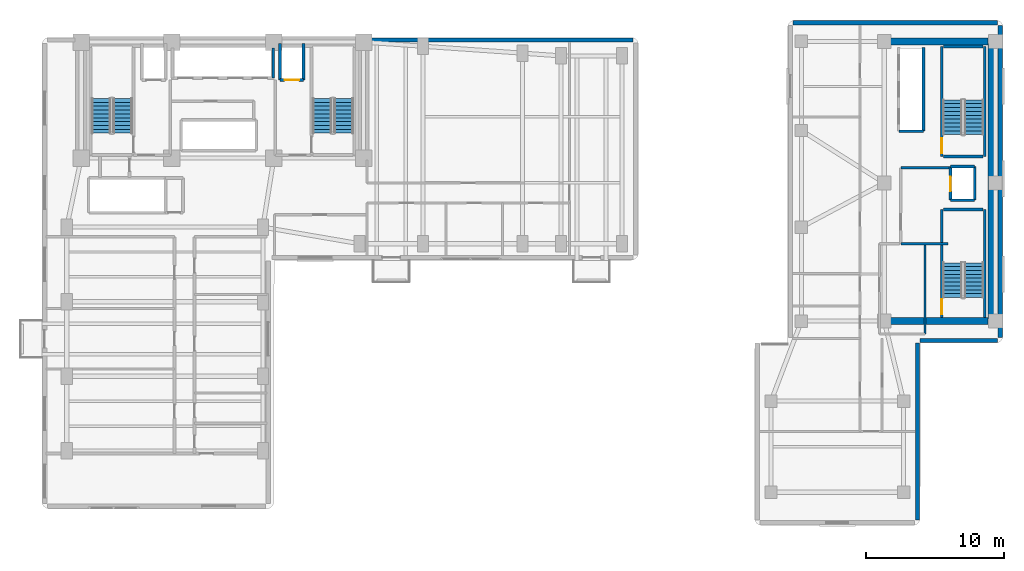
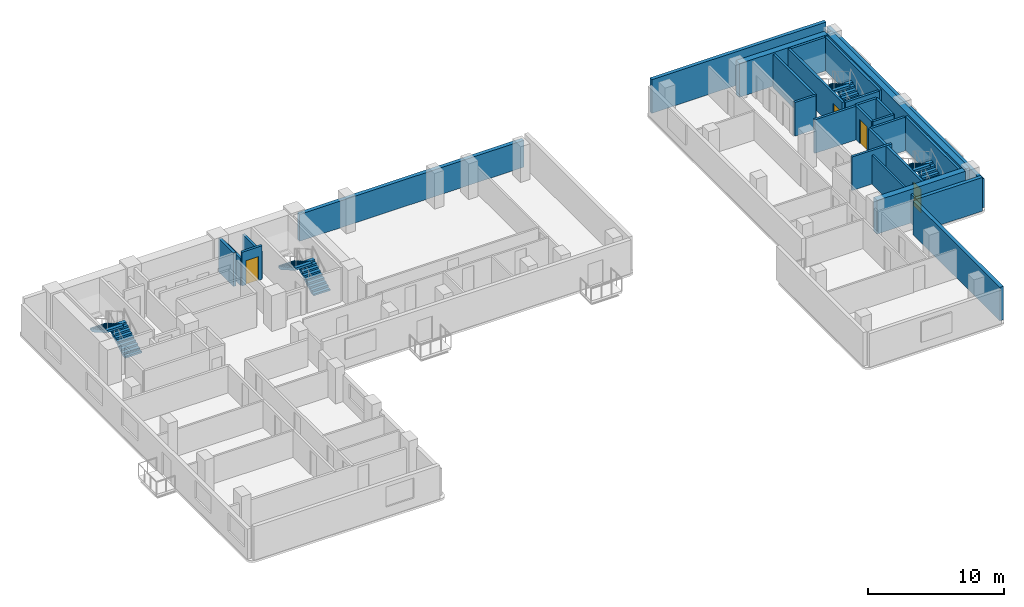
# One storey, part 11 of 14: 28 walls, 8 stair flights, 4 doors, 4 openings, 4 elements without a shape of their own.
"""IFC4 building model written with IfcOpenShell, lengths in metres."""

from ifc_helpers import new_model, si_unit, direction, frame, frame_2d, origin, place, context, subcontext, project, spatial, polyline, rectangle, outline, extrude, material, layer, layer_set, type_object, element, fill, aggregate, save


model = new_model("IFC4")

# Units and contexts
model_context = context("Model", 3, precision=1e-05, world=origin(), true_north=direction((0.0, 1.0)))
body_context = subcontext(model_context, "Body", "Model", "MODEL_VIEW")
ifc_project = project(units=[si_unit("LENGTHUNIT", "METRE"), si_unit("AREAUNIT", "SQUARE_METRE"), si_unit("VOLUMEUNIT", "CUBIC_METRE"), si_unit("PLANEANGLEUNIT", "RADIAN"), si_unit("MASSUNIT", "GRAM", prefix="KILO")], contexts=[model_context])

# Site, building, storey
site_placement = place(None, origin())
site = spatial("IfcSite", under=ifc_project, at=site_placement, CompositionType="ELEMENT")
building_placement = place(site_placement, origin())
building = spatial("IfcBuilding", under=site, at=building_placement, Name="Kuzgunbayir Cultural Tower", CompositionType="ELEMENT")
storey_placement = place(building_placement, frame((0.0, 0.0, 69.199951171875)))
storey = spatial("IfcBuildingStorey", under=building, at=storey_placement, Name="L19", CompositionType="ELEMENT", Elevation=69.199951171875)

# Walls
ifc_material_1 = material(Name="Anatolian Cream Limestone", Category="masonry")
ifc_layer_1 = layer(ifc_material_1, 0.300048828125)
ifc_layer_set_1 = layer_set([ifc_layer_1], Name="Anatolian Cream Limestone")
wall_type_1 = type_object("IfcWallType", Name="WAL-EXT-STONE-300", PredefinedType="STANDARD", material=ifc_layer_set_1)
wall_1_placement = place(storey_placement, frame((73.0, 20.800048828125, 0.0), z_axis=(0.0, 0.0, 1.0), x_axis=(0.0, 1.0, 0.0)))
element("IfcWall", 1, at=wall_1_placement, inside=storey, type_object=wall_type_1, Name="L19 Companion East Limestone Wall", PredefinedType="STANDARD", context=body_context, shape_type="SweptSolid", body=[
    extrude(rectangle(XDim=22.599853515625, YDim=0.300048828125, at=frame_2d((11.2998046875, 0.0))), origin(), (0.0, 0.0, 1.0), 2.60009765625),
])
wall_2_placement = place(storey_placement, frame((72.800048828125, 43.60009765625, 0.0), z_axis=(0.0, 0.0, 1.0), x_axis=(-1.0, 0.0, 0.0)))
element("IfcWall", 2, at=wall_2_placement, inside=storey, type_object=wall_type_1, Name="L19 Companion North Limestone Wall", PredefinedType="STANDARD", context=body_context, shape_type="SweptSolid", body=[
    extrude(rectangle(XDim=14.800048828125, YDim=0.300048828125, at=frame_2d((7.39990234375, 0.0))), origin(), (0.0, 0.0, 1.0), 3.02001953125),
])
wall_3_placement = place(storey_placement, frame((67.0, 7.60009765625, 0.0), z_axis=(0.0, 0.0, 1.0), x_axis=(0.0, 1.0, 0.0)))
element("IfcWall", 3, at=wall_3_placement, inside=storey, type_object=wall_type_1, Name="L19 Companion Wing B East Wall", PredefinedType="STANDARD", context=body_context, shape_type="SweptSolid", body=[
    extrude(rectangle(XDim=12.7998046875, YDim=0.300048828125, at=frame_2d((6.39990234375, 0.0))), origin(), (0.0, 0.0, 1.0), 3.02001953125),
])
wall_4_placement = place(storey_placement, frame((67.199951171875, 20.60009765625, 0.0), z_axis=(0.0, 0.0, 1.0), x_axis=(1.0, 0.0, 0.0)))
element("IfcWall", 4, at=wall_4_placement, inside=storey, type_object=wall_type_1, Name="L19 Companion South-East Link", PredefinedType="STANDARD", context=body_context, shape_type="SweptSolid", body=[
    extrude(rectangle(XDim=5.60009765625, YDim=0.300048828125, at=frame_2d((2.800048828125, 0.0))), origin(), (0.0, 0.0, 1.0), 3.02001953125),
])
ifc_material_2 = material(Name="Travertine Buff Ashlar", Category="masonry")
ifc_layer_2 = layer(ifc_material_2, 0.320068359375)
ifc_layer_set_2 = layer_set([ifc_layer_2], Name="Travertine Buff Ashlar")
wall_type_2 = type_object("IfcWallType", Name="WAL-EXT-STONE-320", PredefinedType="STANDARD", material=ifc_layer_set_2)
wall_5_placement = place(storey_placement, frame((46.39990234375, 42.35009765625, 0.0), z_axis=(0.0, 0.0, 1.0), x_axis=(-1.0, 0.0, 0.0)))
element("IfcWall", 5, at=wall_5_placement, inside=storey, type_object=wall_type_2, Name="L19 North Wing B Limestone Wall", PredefinedType="STANDARD", context=body_context, shape_type="SweptSolid", body=[
    extrude(rectangle(XDim=19.0498046875, YDim=0.320068359375, at=frame_2d((9.52490234375, 0.0))), origin(), (0.0, 0.0, 1.0), 2.41015625),
])
ifc_material_3 = material(Name="Acoustic Double-Stud Drywall", Category="gypsum")
ifc_layer_3 = layer(ifc_material_3, 0.14990234375)
ifc_layer_set_3 = layer_set([ifc_layer_3], Name="Acoustic Double-Stud Drywall")
wall_type_3 = type_object("IfcWallType", Name="WAL-PART-ACOUSTIC-150", PredefinedType="PARTITIONING", material=ifc_layer_set_3)
wall_6_placement = place(storey_placement, frame((67.550048828125, 21.050048828125, 0.0), z_axis=(0.0, 0.0, 1.0), x_axis=(0.0, 1.0, 0.0)))
element("IfcWall", 6, at=wall_6_placement, inside=storey, type_object=wall_type_3, Name="L19 Companion Archive East Wall", PredefinedType="PARTITIONING", context=body_context, shape_type="SweptSolid", body=[
    extrude(rectangle(XDim=6.469970703125, YDim=0.14990234375, at=frame_2d((3.23486328125, 0.0))), origin(), (0.0, 0.0, 1.0), 2.60009765625),
])
ifc_material_4 = material(Name="Aerated Concrete Blockwork", Category="masonry")
ifc_layer_4 = layer(ifc_material_4, 0.199951171875)
ifc_layer_set_4 = layer_set([ifc_layer_4], Name="Aerated Concrete Blockwork")
wall_type_4 = type_object("IfcWallType", Name="WAL-PART-FIRE-200", PredefinedType="PARTITIONING", material=ifc_layer_set_4)
wall_7_placement = place(storey_placement, frame((65.800048828125, 33.10009765625, 0.0), z_axis=(0.0, 0.0, 1.0), x_axis=(1.0, 0.0, 0.0)))
element("IfcWall", 7, at=wall_7_placement, inside=storey, type_object=wall_type_4, Name="L19 FFL-3 Lobby North Fire Wall", PredefinedType="PARTITIONING", context=body_context, shape_type="SweptSolid", body=[
    extrude(rectangle(XDim=3.599853515625, YDim=0.199951171875, at=frame_2d((1.7998046875, 0.0))), origin(), (0.0, 0.0, 1.0), 3.02001953125),
])
wall_8_placement = place(storey_placement, frame((65.800048828125, 27.60009765625, 0.0), z_axis=(0.0, 0.0, 1.0), x_axis=(1.0, 0.0, 0.0)))
element("IfcWall", 8, at=wall_8_placement, inside=storey, type_object=wall_type_4, Name="L19 FFL-3 Lobby South Fire Wall", PredefinedType="PARTITIONING", context=body_context, shape_type="SweptSolid", body=[
    extrude(rectangle(XDim=3.39990234375, YDim=0.199951171875, at=frame_2d((1.699951171875, 0.0))), origin(), (0.0, 0.0, 1.0), 3.02001953125),
])

# Wall, opening, door
ifc_material_5 = material(Name="Concrete C40/50", Category="concrete")
ifc_layer_5 = layer(ifc_material_5, 0.199951171875)
ifc_layer_set_5 = layer_set([ifc_layer_5], Name="Concrete C40/50")
wall_type_5 = type_object("IfcWallType", Name="WAL-SHAFT-200", PredefinedType="MOVABLE", material=ifc_layer_set_5)
wall_9_placement = place(storey_placement, frame((20.85009765625, 39.449951171875, 0.0), z_axis=(0.0, 0.0, 1.0), x_axis=(1.0, 0.0, 0.0)))
wall_9 = element("IfcWall", 9, at=wall_9_placement, inside=storey, type_object=wall_type_5, Name="L19 FFL-2 Lift Front Wall", PredefinedType="MOVABLE", context=body_context, shape_type="SweptSolid", body=[
    extrude(rectangle(XDim=1.699951171875, YDim=0.199951171875, at=frame_2d((0.85009765625, 0.0))), origin(), (0.0, 0.0, 1.0), 3.02001953125),
])
opening_1_placement = place(wall_9_placement, frame((0.320068359375, 0.0, 0.0)))
opening_1 = element("IfcOpeningElement", 10, at=opening_1_placement, cuts=wall_9, Name="Opening LD", PredefinedType="OPENING", context=body_context, shape_type="SweptSolid", body=[
    extrude(rectangle(XDim=1.050048828125, YDim=2.14990234375, at=frame_2d((0.52490234375, 1.074951171875))), frame((0.0, 0.10986328125, 0.0), z_axis=(0.0, -1.0, 0.0), x_axis=(1.0, 0.0, 0.0)), (0.0, 0.0, 1.0), 0.219970703125),
])
ifc_material_6 = material(Name="Brushed Stainless Steel", Category="steel")
door_type_1 = type_object("IfcDoorType", Name="DR-LIFT-LANDING", OperationType="SLIDING_TO_LEFT", PredefinedType="DOOR", material=ifc_material_6)
door_1_placement = place(opening_1_placement, origin())
door_1 = element("IfcDoor", 11, at=door_1_placement, inside=storey, type_object=door_type_1, Name="L19 Lift FFL-2 Landing Door", OperationType="SLIDING_TO_LEFT", OverallHeight=2.14990234375, OverallWidth=1.050048828125, PredefinedType="DOOR", context=body_context, shape_type="SweptSolid", body=[
    extrude(rectangle(XDim=1.050048828125, YDim=2.14990234375, at=frame_2d((0.52490234375, 1.074951171875))), frame((0.0, 0.02490234375, 0.0), z_axis=(0.0, -1.0, 0.0), x_axis=(1.0, 0.0, 0.0)), (0.0, 0.0, 1.0), 0.050048828125),
])
fill(opening_1, door_1)

# Walls
for number, where, z_axis, x_axis, name in (
    (12, (20.85009765625, 39.449951171875, 0.0), (0.0, 0.0, 1.0), (0.0, 1.0, 0.0), "L19 FFL-2 Shaft West Wall"),
    (13, (22.550048828125, 39.449951171875, 0.0), (0.0, 0.0, 1.0), (0.0, 1.0, 0.0), "L19 FFL-2 Shaft East Wall"),
):
    element("IfcWall", number, at=place(storey_placement, frame(where, z_axis=z_axis, x_axis=x_axis)), inside=storey, type_object=wall_type_5, Name=name, PredefinedType="MOVABLE", context=body_context, shape_type="SweptSolid", body=[
        extrude(rectangle(XDim=2.650146484375, YDim=0.199951171875, at=frame_2d((1.3251953125, 0.0))), origin(), (0.0, 0.0, 1.0), 2.41015625),
    ])
wall_10_placement = place(storey_placement, frame((20.35009765625, 39.60009765625, 0.0), z_axis=(0.0, 0.0, 1.0), x_axis=(0.0, 1.0, 0.0)))
element("IfcWall", 14, at=wall_10_placement, inside=storey, type_object=wall_type_5, Name="L19 Low-Rise Lift Shaft East Wall", PredefinedType="MOVABLE", context=body_context, shape_type="SweptSolid", body=[
    extrude(rectangle(XDim=2.179931640625, YDim=0.199951171875, at=frame_2d((1.08984375, 0.0))), origin(), (0.0, 0.0, 1.0), 3.02001953125),
])
wall_11_placement = place(storey_placement, frame((67.449951171875, 35.75, 0.0), z_axis=(0.0, 0.0, 1.0), x_axis=(0.0, 1.0, 0.0)))
element("IfcWall", 15, at=wall_11_placement, inside=storey, type_object=wall_type_5, Name="L19 Companion Lift Shaft Back Wall", PredefinedType="MOVABLE", context=body_context, shape_type="SweptSolid", body=[
    extrude(rectangle(XDim=6.050048828125, YDim=0.199951171875, at=frame_2d((3.02490234375, 0.0))), origin(), (0.0, 0.0, 1.0), 3.02001953125),
])
wall_12_placement = place(storey_placement, frame((65.64990234375, 35.75, 0.0), z_axis=(0.0, 0.0, 1.0), x_axis=(1.0, 0.0, 0.0)))
element("IfcWall", 16, at=wall_12_placement, inside=storey, type_object=wall_type_5, Name="L19 Companion Lift Shaft South Wall", PredefinedType="MOVABLE", context=body_context, shape_type="SweptSolid", body=[
    extrude(rectangle(XDim=1.800048828125, YDim=0.199951171875, at=frame_2d((0.89990234375, 0.0))), origin(), (0.0, 0.0, 1.0), 3.02001953125),
])

# Wall, opening, door
wall_13_placement = place(storey_placement, frame((69.39990234375, 30.75, 0.0), z_axis=(0.0, 0.0, 1.0), x_axis=(0.0, 1.0, 0.0)))
wall_13 = element("IfcWall", 17, at=wall_13_placement, inside=storey, type_object=wall_type_5, Name="L19 FFL-3 Lift Front Wall", PredefinedType="MOVABLE", context=body_context, shape_type="SweptSolid", body=[
    extrude(rectangle(XDim=2.449951171875, YDim=0.199951171875, at=frame_2d((1.22509765625, 0.0))), origin(), (0.0, 0.0, 1.0), 3.02001953125),
])
opening_2_placement = place(wall_13_placement, frame((0.64990234375, 0.0, 0.0)))
opening_2 = element("IfcOpeningElement", 18, at=opening_2_placement, cuts=wall_13, Name="Opening LD", PredefinedType="OPENING", context=body_context, shape_type="SweptSolid", body=[
    extrude(rectangle(XDim=1.050048828125, YDim=2.14990234375, at=frame_2d((0.52490234375, 1.074951171875))), frame((0.0, 0.10986328125, 0.0), z_axis=(0.0, -1.0, 0.0), x_axis=(1.0, 0.0, 0.0)), (0.0, 0.0, 1.0), 0.219970703125),
])
door_2_placement = place(opening_2_placement, origin())
door_2 = element("IfcDoor", 19, at=door_2_placement, inside=storey, type_object=door_type_1, Name="L19 Lift FFL-3 Landing Door", OperationType="SLIDING_TO_LEFT", OverallHeight=2.14990234375, OverallWidth=1.050048828125, PredefinedType="DOOR", context=body_context, shape_type="SweptSolid", body=[
    extrude(rectangle(XDim=1.050048828125, YDim=2.14990234375, at=frame_2d((0.52490234375, 1.074951171875))), frame((0.0, 0.02490234375, 0.0), z_axis=(0.0, -1.0, 0.0), x_axis=(1.0, 0.0, 0.0)), (0.0, 0.0, 1.0), 0.050048828125),
])
fill(opening_2, door_2)

# Walls
wall_14_placement = place(storey_placement, frame((71.14990234375, 30.75, 0.0), z_axis=(0.0, 0.0, 1.0), x_axis=(0.0, 1.0, 0.0)))
element("IfcWall", 20, at=wall_14_placement, inside=storey, type_object=wall_type_5, Name="L19 FFL-3 Shaft Back Wall", PredefinedType="MOVABLE", context=body_context, shape_type="SweptSolid", body=[
    extrude(rectangle(XDim=2.449951171875, YDim=0.199951171875, at=frame_2d((1.22509765625, 0.0))), origin(), (0.0, 0.0, 1.0), 3.02001953125),
])
for number, where, z_axis, x_axis, name in (
    (21, (69.39990234375, 33.199951171875, 0.0), (0.0, 0.0, 1.0), (1.0, 0.0, 0.0), "L19 FFL-3 Shaft North Wall"),
    (22, (69.39990234375, 30.75, 0.0), (0.0, 0.0, 1.0), (1.0, 0.0, 0.0), "L19 FFL-3 Shaft South Wall"),
):
    element("IfcWall", number, at=place(storey_placement, frame(where, z_axis=z_axis, x_axis=x_axis)), inside=storey, type_object=wall_type_5, Name=name, PredefinedType="MOVABLE", context=body_context, shape_type="SweptSolid", body=[
        extrude(rectangle(XDim=1.75, YDim=0.199951171875, at=frame_2d((0.875, 0.0))), origin(), (0.0, 0.0, 1.0), 3.02001953125),
    ])

# Wall, opening, door
ifc_layer_6 = layer(ifc_material_5, 0.199951171875)
ifc_layer_set_6 = layer_set([ifc_layer_6], Name="Concrete C40/50")
wall_type_6 = type_object("IfcWallType", Name="WAL-STAIR-RC-200", PredefinedType="SHEAR", material=ifc_layer_set_6)
wall_15_placement = place(storey_placement, frame((68.760009765625, 22.260009765625, 0.0), z_axis=(0.0, 0.0, 1.0), x_axis=(0.0, 1.0, 0.0)))
wall_15 = element("IfcWall", 23, at=wall_15_placement, inside=storey, type_object=wall_type_6, Name="L19 Stair ST-3 West Structural Wall", PredefinedType="SHEAR", context=body_context, shape_type="SweptSolid", body=[
    extrude(rectangle(XDim=7.820068359375, YDim=0.199951171875, at=frame_2d((3.91015625, 0.0))), origin(), (0.0, 0.0, 1.0), 3.02001953125),
])
opening_3_placement = place(wall_15_placement, frame((0.219970703125, 0.0, 0.0)))
opening_3 = element("IfcOpeningElement", 24, at=opening_3_placement, cuts=wall_15, Name="Opening DR-STAIR-90", PredefinedType="OPENING", context=body_context, shape_type="SweptSolid", body=[
    extrude(rectangle(XDim=1.10009765625, YDim=2.14990234375, at=frame_2d((0.550048828125, 1.074951171875))), frame((0.0, 0.10986328125, 0.0), z_axis=(0.0, -1.0, 0.0), x_axis=(1.0, 0.0, 0.0)), (0.0, 0.0, 1.0), 0.219970703125),
])
ifc_material_7 = material(Name="Steel S355J2", Category="steel")
door_type_2 = type_object("IfcDoorType", Name="DR-STAIR-90", OperationType="NOTDEFINED", PredefinedType="DOOR", material=ifc_material_7)
door_3_placement = place(opening_3_placement, origin())
door_3 = element("IfcDoor", 25, at=door_3_placement, inside=storey, type_object=door_type_2, Name="L19 Stair ST-3 Fire Door", OperationType="SINGLE_SWING_LEFT", OverallHeight=2.14990234375, OverallWidth=1.10009765625, PredefinedType="DOOR", context=body_context, shape_type="SweptSolid", body=[
    extrude(rectangle(XDim=1.10009765625, YDim=2.14990234375, at=frame_2d((0.550048828125, 1.074951171875))), frame((0.0, 0.02490234375, 0.0), z_axis=(0.0, -1.0, 0.0), x_axis=(1.0, 0.0, 0.0)), (0.0, 0.0, 1.0), 0.050048828125),
])
fill(opening_3, door_3)

# Walls
wall_16_placement = place(storey_placement, frame((71.8798828125, 22.260009765625, 0.0), z_axis=(0.0, 0.0, 1.0), x_axis=(0.0, 1.0, 0.0)))
element("IfcWall", 26, at=wall_16_placement, inside=storey, type_object=wall_type_6, Name="L19 Stair ST-3 East Structural Wall", PredefinedType="SHEAR", context=body_context, shape_type="SweptSolid", body=[
    extrude(rectangle(XDim=7.820068359375, YDim=0.199951171875, at=frame_2d((3.91015625, 0.0))), origin(), (0.0, 0.0, 1.0), 3.02001953125),
])
wall_17_placement = place(storey_placement, frame((68.8798828125, 30.080078125, 0.0), z_axis=(0.0, 0.0, 1.0), x_axis=(1.0, 0.0, 0.0)))
element("IfcWall", 27, at=wall_17_placement, inside=storey, type_object=wall_type_6, Name="L19 Stair ST-3 North Structural Wall", PredefinedType="SHEAR", context=body_context, shape_type="SweptSolid", body=[
    extrude(rectangle(XDim=2.880126953125, YDim=0.199951171875, at=frame_2d((1.43994140625, 0.0))), origin(), (0.0, 0.0, 1.0), 3.02001953125),
])

# Wall, opening, door
wall_18_placement = place(storey_placement, frame((68.760009765625, 33.919921875, 0.0), z_axis=(0.0, 0.0, 1.0), x_axis=(0.0, 1.0, 0.0)))
wall_18 = element("IfcWall", 28, at=wall_18_placement, inside=storey, type_object=wall_type_6, Name="L19 Stair ST-4 West Structural Wall", PredefinedType="SHEAR", context=body_context, shape_type="SweptSolid", body=[
    extrude(rectangle(XDim=7.9599609375, YDim=0.199951171875, at=frame_2d((3.97998046875, 0.0))), origin(), (0.0, 0.0, 1.0), 3.02001953125),
])
opening_4_placement = place(wall_18_placement, frame((0.219970703125, 0.0, 0.0)))
opening_4 = element("IfcOpeningElement", 29, at=opening_4_placement, cuts=wall_18, Name="Opening DR-STAIR-90", PredefinedType="OPENING", context=body_context, shape_type="SweptSolid", body=[
    extrude(rectangle(XDim=1.10009765625, YDim=2.14990234375, at=frame_2d((0.550048828125, 1.074951171875))), frame((0.0, 0.10986328125, 0.0), z_axis=(0.0, -1.0, 0.0), x_axis=(1.0, 0.0, 0.0)), (0.0, 0.0, 1.0), 0.219970703125),
])
door_4_placement = place(opening_4_placement, origin())
door_4 = element("IfcDoor", 30, at=door_4_placement, inside=storey, type_object=door_type_2, Name="L19 Stair ST-4 Fire Door", OperationType="SINGLE_SWING_RIGHT", OverallHeight=2.14990234375, OverallWidth=1.10009765625, PredefinedType="DOOR", context=body_context, shape_type="SweptSolid", body=[
    extrude(rectangle(XDim=1.10009765625, YDim=2.14990234375, at=frame_2d((0.550048828125, 1.074951171875))), frame((0.0, 0.02490234375, 0.0), z_axis=(0.0, -1.0, 0.0), x_axis=(1.0, 0.0, 0.0)), (0.0, 0.0, 1.0), 0.050048828125),
])
fill(opening_4, door_4)

# Walls
wall_19_placement = place(storey_placement, frame((71.8798828125, 33.919921875, 0.0), z_axis=(0.0, 0.0, 1.0), x_axis=(0.0, 1.0, 0.0)))
element("IfcWall", 31, at=wall_19_placement, inside=storey, type_object=wall_type_6, Name="L19 Stair ST-4 East Structural Wall", PredefinedType="SHEAR", context=body_context, shape_type="SweptSolid", body=[
    extrude(rectangle(XDim=7.9599609375, YDim=0.199951171875, at=frame_2d((3.97998046875, 0.0))), origin(), (0.0, 0.0, 1.0), 3.02001953125),
])
for number, where, z_axis, x_axis, name in (
    (32, (68.8798828125, 41.8798828125, 0.0), (0.0, 0.0, 1.0), (1.0, 0.0, 0.0), "L19 Stair ST-4 North Structural Wall"),
    (33, (68.8798828125, 33.919921875, 0.0), (0.0, 0.0, 1.0), (1.0, 0.0, 0.0), "L19 Stair ST-4 South Structural Wall"),
):
    element("IfcWall", number, at=place(storey_placement, frame(where, z_axis=z_axis, x_axis=x_axis)), inside=storey, type_object=wall_type_6, Name=name, PredefinedType="SHEAR", context=body_context, shape_type="SweptSolid", body=[
        extrude(rectangle(XDim=2.880126953125, YDim=0.199951171875, at=frame_2d((1.43994140625, 0.0))), origin(), (0.0, 0.0, 1.0), 3.02001953125),
    ])
ifc_material_8 = material(Name="Concrete C60/75", Category="concrete")
ifc_layer_7 = layer(ifc_material_8, 0.5)
ifc_layer_set_7 = layer_set([ifc_layer_7], Name="Concrete C60/75")
wall_type_7 = type_object("IfcWallType", Name="WAL-T2-CORE-500", PredefinedType="SHEAR", material=ifc_layer_set_7)
wall_20_placement = place(storey_placement, frame((72.35009765625, 22.0, 0.0), z_axis=(0.0, 0.0, 1.0), x_axis=(0.0, 1.0, 0.0)))
element("IfcWall", 34, at=wall_20_placement, inside=storey, type_object=wall_type_7, Name="L19 Companion Core East Shear Wall", PredefinedType="SHEAR", context=body_context, shape_type="SweptSolid", body=[
    extrude(rectangle(XDim=20.25, YDim=0.5, at=frame_2d((10.125, 0.0))), origin(), (0.0, 0.0, 1.0), 3.02001953125),
])
for number, where, z_axis, x_axis, name in (
    (35, (64.60009765625, 42.25, 0.0), (0.0, 0.0, 1.0), (1.0, 0.0, 0.0), "L19 Companion Core North Shear Wall"),
    (36, (64.60009765625, 22.0, 0.0), (0.0, 0.0, 1.0), (1.0, 0.0, 0.0), "L19 Companion Core South Shear Wall"),
):
    element("IfcWall", number, at=place(storey_placement, frame(where, z_axis=z_axis, x_axis=x_axis)), inside=storey, type_object=wall_type_7, Name=name, PredefinedType="SHEAR", context=body_context, shape_type="SweptSolid", body=[
        extrude(rectangle(XDim=7.5, YDim=0.5, at=frame_2d((3.75, 0.0))), origin(), (0.0, 0.0, 1.0), 3.02001953125),
    ])

# Stair, stair flights
stair_type = type_object("IfcStairType", Name="STR-EXIT-CORE", PredefinedType="HALF_TURN_STAIR", material=ifc_material_5)
stair_1_placement = place(storey_placement, origin())
stair_1 = element("IfcStair", 37, at=stair_1_placement, inside=storey, type_object=stair_type, Name="L19 ST-1", PredefinedType="HALF_TURN_STAIR")
stair_flight_type = type_object("IfcStairFlightType", Name="STRF-RC-140", PredefinedType="STRAIGHT", material=ifc_material_5)
stair_flight_1_placement = place(storey_placement, frame((9.4599609375, 35.60009765625, 0.0), z_axis=(0.0, 0.0, 1.0), x_axis=(0.0, 1.0, 0.0)))
stair_flight_1 = element("IfcStairFlight", 38, at=stair_flight_1_placement, type_object=stair_flight_type, Name="ST-1 flight 1", NumberOfRisers=10, NumberOfTreads=9, PredefinedType="STRAIGHT", RiserHeight=0.16, TreadLength=0.28, context=body_context, shape_type="SweptSolid", body=[
    extrude(outline(polyline([(0.0, 0.0), (0.0, 0.159912109375), (0.280029296875, 0.159912109375), (0.280029296875, 0.320068359375), (0.56005859375, 0.320068359375), (0.56005859375, 0.47998046875), (0.840087890625, 0.47998046875), (0.840087890625, 0.639892578125), (1.1201171875, 0.639892578125), (1.1201171875, 0.800048828125), (1.39990234375, 0.800048828125), (1.39990234375, 0.9599609375), (1.679931640625, 0.9599609375), (1.679931640625, 1.1201171875), (1.9599609375, 1.1201171875), (1.9599609375, 1.280029296875), (2.239990234375, 1.280029296875), (2.239990234375, 1.43994140625), (2.52001953125, 1.43994140625), (2.52001953125, 1.60009765625), (2.52001953125, 1.232666015625), (0.362548828125, 0.0), (0.0, 0.0)])), frame((0.0, 0.699951171875, 0.0), z_axis=(0.0, -1.0, 0.0), x_axis=(1.0, 0.0, 0.0)), (0.0, 0.0, 1.0), 1.39990234375),
])
stair_flight_2_placement = place(storey_placement, frame((7.89990234375, 38.1201171875, 1.60009765625), z_axis=(0.0, 0.0, 1.0), x_axis=(0.0, -1.0, 0.0)))
stair_flight_2 = element("IfcStairFlight", 39, at=stair_flight_2_placement, type_object=stair_flight_type, Name="ST-1 flight 2", NumberOfRisers=10, NumberOfTreads=9, PredefinedType="STRAIGHT", RiserHeight=0.16, TreadLength=0.28, context=body_context, shape_type="SweptSolid", body=[
    extrude(outline(polyline([(0.0, 0.0), (0.0, 0.159912109375), (0.280029296875, 0.159912109375), (0.280029296875, 0.320068359375), (0.56005859375, 0.320068359375), (0.56005859375, 0.47998046875), (0.840087890625, 0.47998046875), (0.840087890625, 0.639892578125), (1.1201171875, 0.639892578125), (1.1201171875, 0.800048828125), (1.39990234375, 0.800048828125), (1.39990234375, 0.9599609375), (1.679931640625, 0.9599609375), (1.679931640625, 1.1201171875), (1.9599609375, 1.1201171875), (1.9599609375, 1.280029296875), (2.239990234375, 1.280029296875), (2.239990234375, 1.43994140625), (2.52001953125, 1.43994140625), (2.52001953125, 1.60009765625), (2.52001953125, 1.232666015625), (0.362548828125, 0.0), (0.0, 0.0)])), frame((0.0, 0.699951171875, 0.0), z_axis=(0.0, -1.0, 0.0), x_axis=(1.0, 0.0, 0.0)), (0.0, 0.0, 1.0), 1.39990234375),
])
aggregate(stair_1, [stair_flight_1, stair_flight_2])

stair_2_placement = place(storey_placement, origin())
stair_2 = element("IfcStair", 40, at=stair_2_placement, inside=storey, type_object=stair_type, Name="L19 ST-2", PredefinedType="HALF_TURN_STAIR")
stair_flight_3_placement = place(storey_placement, frame((25.4599609375, 35.60009765625, 0.0), z_axis=(0.0, 0.0, 1.0), x_axis=(0.0, 1.0, 0.0)))
stair_flight_3 = element("IfcStairFlight", 41, at=stair_flight_3_placement, type_object=stair_flight_type, Name="ST-2 flight 1", NumberOfRisers=10, NumberOfTreads=9, PredefinedType="STRAIGHT", RiserHeight=0.16, TreadLength=0.28, context=body_context, shape_type="SweptSolid", body=[
    extrude(outline(polyline([(0.0, 0.0), (0.0, 0.159912109375), (0.280029296875, 0.159912109375), (0.280029296875, 0.320068359375), (0.56005859375, 0.320068359375), (0.56005859375, 0.47998046875), (0.840087890625, 0.47998046875), (0.840087890625, 0.639892578125), (1.1201171875, 0.639892578125), (1.1201171875, 0.800048828125), (1.39990234375, 0.800048828125), (1.39990234375, 0.9599609375), (1.679931640625, 0.9599609375), (1.679931640625, 1.1201171875), (1.9599609375, 1.1201171875), (1.9599609375, 1.280029296875), (2.239990234375, 1.280029296875), (2.239990234375, 1.43994140625), (2.52001953125, 1.43994140625), (2.52001953125, 1.60009765625), (2.52001953125, 1.232666015625), (0.362548828125, 0.0), (0.0, 0.0)])), frame((0.0, 0.699951171875, 0.0), z_axis=(0.0, -1.0, 0.0), x_axis=(1.0, 0.0, 0.0)), (0.0, 0.0, 1.0), 1.39990234375),
])
stair_flight_4_placement = place(storey_placement, frame((23.89990234375, 38.1201171875, 1.60009765625), z_axis=(0.0, 0.0, 1.0), x_axis=(0.0, -1.0, 0.0)))
stair_flight_4 = element("IfcStairFlight", 42, at=stair_flight_4_placement, type_object=stair_flight_type, Name="ST-2 flight 2", NumberOfRisers=10, NumberOfTreads=9, PredefinedType="STRAIGHT", RiserHeight=0.16, TreadLength=0.28, context=body_context, shape_type="SweptSolid", body=[
    extrude(outline(polyline([(0.0, 0.0), (0.0, 0.159912109375), (0.280029296875, 0.159912109375), (0.280029296875, 0.320068359375), (0.56005859375, 0.320068359375), (0.56005859375, 0.47998046875), (0.840087890625, 0.47998046875), (0.840087890625, 0.639892578125), (1.1201171875, 0.639892578125), (1.1201171875, 0.800048828125), (1.39990234375, 0.800048828125), (1.39990234375, 0.9599609375), (1.679931640625, 0.9599609375), (1.679931640625, 1.1201171875), (1.9599609375, 1.1201171875), (1.9599609375, 1.280029296875), (2.239990234375, 1.280029296875), (2.239990234375, 1.43994140625), (2.52001953125, 1.43994140625), (2.52001953125, 1.60009765625), (2.52001953125, 1.232666015625), (0.362548828125, 0.0), (0.0, 0.0)])), frame((0.0, 0.699951171875, 0.0), z_axis=(0.0, -1.0, 0.0), x_axis=(1.0, 0.0, 0.0)), (0.0, 0.0, 1.0), 1.39990234375),
])
aggregate(stair_2, [stair_flight_3, stair_flight_4])

stair_3_placement = place(storey_placement, origin())
stair_3 = element("IfcStair", 43, at=stair_3_placement, inside=storey, type_object=stair_type, Name="L19 ST-3", PredefinedType="HALF_TURN_STAIR")
stair_flight_5_placement = place(storey_placement, frame((71.10009765625, 23.699951171875, 0.0), z_axis=(0.0, 0.0, 1.0), x_axis=(0.0, 1.0, 0.0)))
stair_flight_5 = element("IfcStairFlight", 44, at=stair_flight_5_placement, type_object=stair_flight_type, Name="ST-3 flight 1", NumberOfRisers=10, NumberOfTreads=9, PredefinedType="STRAIGHT", RiserHeight=0.16, TreadLength=0.28, context=body_context, shape_type="SweptSolid", body=[
    extrude(outline(polyline([(0.0, 0.0), (0.0, 0.159912109375), (0.280029296875, 0.159912109375), (0.280029296875, 0.320068359375), (0.56005859375, 0.320068359375), (0.56005859375, 0.47998046875), (0.840087890625, 0.47998046875), (0.840087890625, 0.639892578125), (1.1201171875, 0.639892578125), (1.1201171875, 0.800048828125), (1.39990234375, 0.800048828125), (1.39990234375, 0.9599609375), (1.679931640625, 0.9599609375), (1.679931640625, 1.1201171875), (1.9599609375, 1.1201171875), (1.9599609375, 1.280029296875), (2.239990234375, 1.280029296875), (2.239990234375, 1.43994140625), (2.52001953125, 1.43994140625), (2.52001953125, 1.60009765625), (2.52001953125, 1.232666015625), (0.362548828125, 0.0), (0.0, 0.0)])), frame((0.0, 0.699951171875, 0.0), z_axis=(0.0, -1.0, 0.0), x_axis=(1.0, 0.0, 0.0)), (0.0, 0.0, 1.0), 1.39990234375),
])
stair_flight_6_placement = place(storey_placement, frame((69.5400390625, 26.219970703125, 1.60009765625), z_axis=(0.0, 0.0, 1.0), x_axis=(0.0, -1.0, 0.0)))
stair_flight_6 = element("IfcStairFlight", 45, at=stair_flight_6_placement, type_object=stair_flight_type, Name="ST-3 flight 2", NumberOfRisers=10, NumberOfTreads=9, PredefinedType="STRAIGHT", RiserHeight=0.16, TreadLength=0.28, context=body_context, shape_type="SweptSolid", body=[
    extrude(outline(polyline([(0.0, 0.0), (0.0, 0.159912109375), (0.280029296875, 0.159912109375), (0.280029296875, 0.320068359375), (0.56005859375, 0.320068359375), (0.56005859375, 0.47998046875), (0.840087890625, 0.47998046875), (0.840087890625, 0.639892578125), (1.1201171875, 0.639892578125), (1.1201171875, 0.800048828125), (1.39990234375, 0.800048828125), (1.39990234375, 0.9599609375), (1.679931640625, 0.9599609375), (1.679931640625, 1.1201171875), (1.9599609375, 1.1201171875), (1.9599609375, 1.280029296875), (2.239990234375, 1.280029296875), (2.239990234375, 1.43994140625), (2.52001953125, 1.43994140625), (2.52001953125, 1.60009765625), (2.52001953125, 1.232666015625), (0.362548828125, 0.0), (0.0, 0.0)])), frame((0.0, 0.699951171875, 0.0), z_axis=(0.0, -1.0, 0.0), x_axis=(1.0, 0.0, 0.0)), (0.0, 0.0, 1.0), 1.39990234375),
])
aggregate(stair_3, [stair_flight_5, stair_flight_6])

stair_4_placement = place(storey_placement, origin())
stair_4 = element("IfcStair", 46, at=stair_4_placement, inside=storey, type_object=stair_type, Name="L19 ST-4", PredefinedType="HALF_TURN_STAIR")
stair_flight_7_placement = place(storey_placement, frame((71.10009765625, 35.5, 0.0), z_axis=(0.0, 0.0, 1.0), x_axis=(0.0, 1.0, 0.0)))
stair_flight_7 = element("IfcStairFlight", 47, at=stair_flight_7_placement, type_object=stair_flight_type, Name="ST-4 flight 1", NumberOfRisers=10, NumberOfTreads=9, PredefinedType="STRAIGHT", RiserHeight=0.16, TreadLength=0.28, context=body_context, shape_type="SweptSolid", body=[
    extrude(outline(polyline([(0.0, 0.0), (0.0, 0.159912109375), (0.280029296875, 0.159912109375), (0.280029296875, 0.320068359375), (0.56005859375, 0.320068359375), (0.56005859375, 0.47998046875), (0.840087890625, 0.47998046875), (0.840087890625, 0.639892578125), (1.1201171875, 0.639892578125), (1.1201171875, 0.800048828125), (1.39990234375, 0.800048828125), (1.39990234375, 0.9599609375), (1.679931640625, 0.9599609375), (1.679931640625, 1.1201171875), (1.9599609375, 1.1201171875), (1.9599609375, 1.280029296875), (2.239990234375, 1.280029296875), (2.239990234375, 1.43994140625), (2.52001953125, 1.43994140625), (2.52001953125, 1.60009765625), (2.52001953125, 1.232666015625), (0.362548828125, 0.0), (0.0, 0.0)])), frame((0.0, 0.699951171875, 0.0), z_axis=(0.0, -1.0, 0.0), x_axis=(1.0, 0.0, 0.0)), (0.0, 0.0, 1.0), 1.39990234375),
])
stair_flight_8_placement = place(storey_placement, frame((69.5400390625, 38.02001953125, 1.60009765625), z_axis=(0.0, 0.0, 1.0), x_axis=(0.0, -1.0, 0.0)))
stair_flight_8 = element("IfcStairFlight", 48, at=stair_flight_8_placement, type_object=stair_flight_type, Name="ST-4 flight 2", NumberOfRisers=10, NumberOfTreads=9, PredefinedType="STRAIGHT", RiserHeight=0.16, TreadLength=0.28, context=body_context, shape_type="SweptSolid", body=[
    extrude(outline(polyline([(0.0, 0.0), (0.0, 0.159912109375), (0.280029296875, 0.159912109375), (0.280029296875, 0.320068359375), (0.56005859375, 0.320068359375), (0.56005859375, 0.47998046875), (0.840087890625, 0.47998046875), (0.840087890625, 0.639892578125), (1.1201171875, 0.639892578125), (1.1201171875, 0.800048828125), (1.39990234375, 0.800048828125), (1.39990234375, 0.9599609375), (1.679931640625, 0.9599609375), (1.679931640625, 1.1201171875), (1.9599609375, 1.1201171875), (1.9599609375, 1.280029296875), (2.239990234375, 1.280029296875), (2.239990234375, 1.43994140625), (2.52001953125, 1.43994140625), (2.52001953125, 1.60009765625), (2.52001953125, 1.232666015625), (0.362548828125, 0.0), (0.0, 0.0)])), frame((0.0, 0.699951171875, 0.0), z_axis=(0.0, -1.0, 0.0), x_axis=(1.0, 0.0, 0.0)), (0.0, 0.0, 1.0), 1.39990234375),
])
aggregate(stair_4, [stair_flight_7, stair_flight_8])

save(model, "model.ifc")
